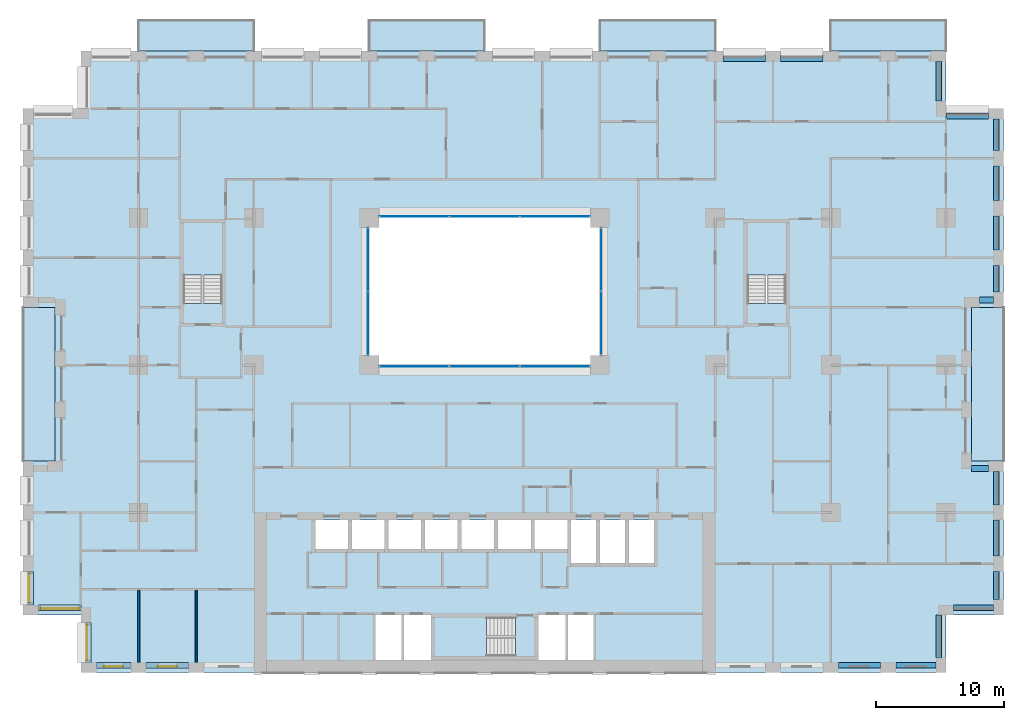
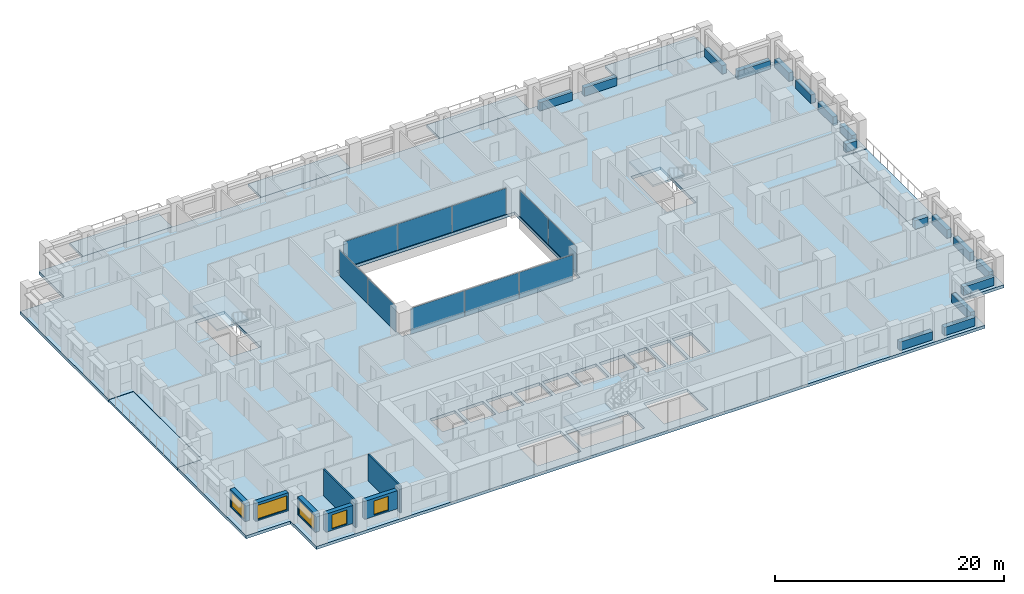
# One storey, part 8 of 20: 17 beams, 10 plates, 10 slabs, 7 walls, 5 windows, 5 openings, 7 elements without a shape of their own.
"""IFC4 building model written with IfcOpenShell, lengths in metres."""

from ifc_helpers import new_model, si_unit, direction, frame, frame_2d, origin, origin_2d, place, context, subcontext, project, spatial, polyline, rectangle, outline, extrude, material, layer, layer_set, material_profile, profile_set, type_object, element, fill, aggregate, save


model = new_model("IFC4")

# Units and contexts
model_context = context("Model", 3, precision=1e-05, world=origin(), true_north=direction((0.0, 1.0)))
body_context = subcontext(model_context, "Body", "Model", "MODEL_VIEW")
ifc_project = project(units=[si_unit("LENGTHUNIT", "METRE"), si_unit("AREAUNIT", "SQUARE_METRE"), si_unit("VOLUMEUNIT", "CUBIC_METRE"), si_unit("PLANEANGLEUNIT", "RADIAN"), si_unit("MASSUNIT", "GRAM", prefix="KILO")], contexts=[model_context])

# Site, building, storey
site_placement = place(None, origin())
site = spatial("IfcSite", under=ifc_project, at=site_placement, CompositionType="ELEMENT")
building_placement = place(site_placement, origin())
building = spatial("IfcBuilding", under=site, at=building_placement, Name="Brigalow Station Residences", CompositionType="ELEMENT")
storey_placement = place(building_placement, frame((0.0, 0.0, 57.300048828125)))
storey = spatial("IfcBuildingStorey", under=building, at=storey_placement, Name="L16", CompositionType="ELEMENT", Elevation=57.300048828125)

# Beams
ifc_material_1 = material(Name="Concrete C65", Category="concrete")
ifc_material_profile = material_profile(ifc_material_1, rectangle(XDim=0.449951171875, YDim=0.89990234375, at=origin_2d()), Name="RC450x900")
ifc_profile_set = profile_set([ifc_material_profile], Name="Concrete C65")
beam_type = type_object("IfcBeamType", Name="SPANDREL BEAM 450x900 C65", PredefinedType="SPANDREL", material=ifc_profile_set)
beam_1_placement = place(storey_placement, frame((63.60009765625, 0.574951171875, 0.449951171875), z_axis=(1.0, 0.0, 0.0), x_axis=(0.0, 1.0, 0.0)))
element("IfcBeam", 1, at=beam_1_placement, inside=storey, type_object=beam_type, Name="L16/spandrel/W-L16-7", PredefinedType="SPANDREL", context=body_context, shape_type="SweptSolid", body=[
    extrude(rectangle(XDim=0.449951171875, YDim=0.89990234375, at=origin_2d()), origin(), (0.0, 0.0, 1.0), 3.2998046875),
])
beam_2_placement = place(storey_placement, frame((68.10009765625, 0.574951171875, 0.449951171875), z_axis=(1.0, 0.0, 0.0), x_axis=(0.0, 1.0, 0.0)))
element("IfcBeam", 2, at=beam_2_placement, inside=storey, type_object=beam_type, Name="L16/spandrel/W-L16-8", PredefinedType="SPANDREL", context=body_context, shape_type="SweptSolid", body=[
    extrude(rectangle(XDim=0.449951171875, YDim=0.89990234375, at=origin_2d()), origin(), (0.0, 0.0, 1.0), 3.099853515625),
])
beam_3_placement = place(storey_placement, frame((71.425048828125, 1.199951171875, 0.449951171875), z_axis=(0.0, 1.0, 0.0), x_axis=(-1.0, 0.0, 0.0)))
element("IfcBeam", 3, at=beam_3_placement, inside=storey, type_object=beam_type, Name="L16/spandrel/W-L16-9", PredefinedType="SPANDREL", context=body_context, shape_type="SweptSolid", body=[
    extrude(rectangle(XDim=0.449951171875, YDim=0.89990234375, at=origin_2d()), origin(), (0.0, 0.0, 1.0), 3.300048828125),
])
beam_4_placement = place(storey_placement, frame((72.60009765625, 5.074951171875, 0.449951171875), z_axis=(1.0, 0.0, 0.0), x_axis=(0.0, 1.0, 0.0)))
element("IfcBeam", 4, at=beam_4_placement, inside=storey, type_object=beam_type, Name="L16/spandrel/W-L16-10", PredefinedType="SPANDREL", context=body_context, shape_type="SweptSolid", body=[
    extrude(rectangle(XDim=0.449951171875, YDim=0.89990234375, at=origin_2d()), origin(), (0.0, 0.0, 1.0), 3.099853515625),
])
beam_5_placement = place(storey_placement, frame((75.925048828125, 5.699951171875, 0.449951171875), z_axis=(0.0, 1.0, 0.0), x_axis=(-1.0, 0.0, 0.0)))
element("IfcBeam", 5, at=beam_5_placement, inside=storey, type_object=beam_type, Name="L16/spandrel/W-L16-11", PredefinedType="SPANDREL", context=body_context, shape_type="SweptSolid", body=[
    extrude(rectangle(XDim=0.449951171875, YDim=0.89990234375, at=origin_2d()), origin(), (0.0, 0.0, 1.0), 2.199951171875),
])
beam_6_placement = place(storey_placement, frame((75.925048828125, 9.10009765625, 0.449951171875), z_axis=(0.0, 1.0, 0.0), x_axis=(-1.0, 0.0, 0.0)))
element("IfcBeam", 6, at=beam_6_placement, inside=storey, type_object=beam_type, Name="L16/spandrel/W-L16-12", PredefinedType="SPANDREL", context=body_context, shape_type="SweptSolid", body=[
    extrude(rectangle(XDim=0.449951171875, YDim=0.89990234375, at=origin_2d()), origin(), (0.0, 0.0, 1.0), 2.7998046875),
])
beam_7_placement = place(storey_placement, frame((75.925048828125, 13.10009765625, 0.449951171875), z_axis=(0.0, 1.0, 0.0), x_axis=(-1.0, 0.0, 0.0)))
element("IfcBeam", 7, at=beam_7_placement, inside=storey, type_object=beam_type, Name="L16/spandrel/W-L16-13", PredefinedType="SPANDREL", context=body_context, shape_type="SweptSolid", body=[
    extrude(rectangle(XDim=0.449951171875, YDim=0.89990234375, at=origin_2d()), origin(), (0.0, 0.0, 1.0), 2.599853515625),
])
beam_8_placement = place(storey_placement, frame((75.300048828125, 15.925048828125, 0.449951171875), z_axis=(-1.0, 0.0, 0.0), x_axis=(0.0, -1.0, 0.0)))
element("IfcBeam", 8, at=beam_8_placement, inside=storey, type_object=beam_type, Name="L16/spandrel/W-L16-14", PredefinedType="SPANDREL", context=body_context, shape_type="SweptSolid", body=[
    extrude(rectangle(XDim=0.449951171875, YDim=0.89990234375, at=origin_2d()), origin(), (0.0, 0.0, 1.0), 1.300048828125),
])
beam_9_placement = place(storey_placement, frame((74.60009765625, 29.074951171875, 0.449951171875), z_axis=(1.0, 0.0, 0.0), x_axis=(0.0, 1.0, 0.0)))
element("IfcBeam", 9, at=beam_9_placement, inside=storey, type_object=beam_type, Name="L16/spandrel/W-L16-18", PredefinedType="SPANDREL", context=body_context, shape_type="SweptSolid", body=[
    extrude(rectangle(XDim=0.449951171875, YDim=0.89990234375, at=origin_2d()), origin(), (0.0, 0.0, 1.0), 1.099853515625),
])
beam_10_placement = place(storey_placement, frame((75.925048828125, 29.699951171875, 0.449951171875), z_axis=(0.0, 1.0, 0.0), x_axis=(-1.0, 0.0, 0.0)))
element("IfcBeam", 10, at=beam_10_placement, inside=storey, type_object=beam_type, Name="L16/spandrel/W-L16-19", PredefinedType="SPANDREL", context=body_context, shape_type="SweptSolid", body=[
    extrude(rectangle(XDim=0.449951171875, YDim=0.89990234375, at=origin_2d()), origin(), (0.0, 0.0, 1.0), 2.074951171875),
])
for number, where, z_axis, x_axis, name in (
    (11, (75.925048828125, 32.97509765625, 0.449951171875), (0.0, 1.0, 0.0), (-1.0, 0.0, 0.0), "L16/spandrel/W-L16-20"),
    (12, (75.925048828125, 36.85009765625, 0.449951171875), (0.0, 1.0, 0.0), (-1.0, 0.0, 0.0), "L16/spandrel/W-L16-21"),
):
    element("IfcBeam", number, at=place(storey_placement, frame(where, z_axis=z_axis, x_axis=x_axis)), inside=storey, type_object=beam_type, Name=name, PredefinedType="SPANDREL", context=body_context, shape_type="SweptSolid", body=[
        extrude(rectangle(XDim=0.449951171875, YDim=0.89990234375, at=origin_2d()), origin(), (0.0, 0.0, 1.0), 2.6748046875),
    ])
beam_11_placement = place(storey_placement, frame((75.925048828125, 40.72509765625, 0.449951171875), z_axis=(0.0, 1.0, 0.0), x_axis=(-1.0, 0.0, 0.0)))
element("IfcBeam", 13, at=beam_11_placement, inside=storey, type_object=beam_type, Name="L16/spandrel/W-L16-22", PredefinedType="SPANDREL", context=body_context, shape_type="SweptSolid", body=[
    extrude(rectangle(XDim=0.449951171875, YDim=0.89990234375, at=origin_2d()), origin(), (0.0, 0.0, 1.0), 2.474853515625),
])
beam_12_placement = place(storey_placement, frame((75.300048828125, 43.425048828125, 0.449951171875), z_axis=(-1.0, 0.0, 0.0), x_axis=(0.0, -1.0, 0.0)))
element("IfcBeam", 14, at=beam_12_placement, inside=storey, type_object=beam_type, Name="L16/spandrel/W-L16-23", PredefinedType="SPANDREL", context=body_context, shape_type="SweptSolid", body=[
    extrude(rectangle(XDim=0.449951171875, YDim=0.89990234375, at=origin_2d()), origin(), (0.0, 0.0, 1.0), 3.300048828125),
])
beam_13_placement = place(storey_placement, frame((71.425048828125, 44.60009765625, 0.449951171875), z_axis=(0.0, 1.0, 0.0), x_axis=(-1.0, 0.0, 0.0)))
element("IfcBeam", 15, at=beam_13_placement, inside=storey, type_object=beam_type, Name="L16/spandrel/W-L16-24", PredefinedType="SPANDREL", context=body_context, shape_type="SweptSolid", body=[
    extrude(rectangle(XDim=0.449951171875, YDim=0.89990234375, at=origin_2d()), origin(), (0.0, 0.0, 1.0), 3.099853515625),
])
for number, where, z_axis, x_axis, name in (
    (16, (62.39990234375, 47.925048828125, 0.449951171875), (-1.0, 0.0, 0.0), (0.0, -1.0, 0.0), "L16/spandrel/W-L16-27"),
    (17, (57.89990234375, 47.925048828125, 0.449951171875), (-1.0, 0.0, 0.0), (0.0, -1.0, 0.0), "L16/spandrel/W-L16-28"),
):
    element("IfcBeam", number, at=place(storey_placement, frame(where, z_axis=z_axis, x_axis=x_axis)), inside=storey, type_object=beam_type, Name=name, PredefinedType="SPANDREL", context=body_context, shape_type="SweptSolid", body=[
        extrude(rectangle(XDim=0.449951171875, YDim=0.89990234375, at=origin_2d()), origin(), (0.0, 0.0, 1.0), 3.2998046875),
    ])

# Curtain wall, plates
ifc_material_2 = material(Name="Aluminium", Category="aluminium")
ifc_layer_1 = layer(ifc_material_2, 0.14990234375)
ifc_layer_set_1 = layer_set([ifc_layer_1], Name="ATRIUM FIRE-RATED GLAZING CURTAIN WALL")
curtain_wall_type = type_object("IfcCurtainWallType", Name="ATRIUM FIRE-RATED GLAZING CURTAIN WALL", PredefinedType="NOTDEFINED", material=ifc_layer_set_1)
curtain_wall_1_placement = place(storey_placement, origin())
curtain_wall_1 = element("IfcCurtainWall", 18, at=curtain_wall_1_placement, inside=storey, type_object=curtain_wall_type, Name="L16/cw/atrium-S", PredefinedType="NOTDEFINED")
ifc_material_3 = material(Name="Fire-resisting laminated glazing, FRL -/60/-", Category="glass")
ifc_layer_2 = layer(ifc_material_3, 0.031982421875)
ifc_layer_set_2 = layer_set([ifc_layer_2], Name="ATRIUM FIRE-RATED GLAZING PANEL 32")
plate_type = type_object("IfcPlateType", Name="ATRIUM FIRE-RATED GLAZING PANEL 32", PredefinedType="CURTAIN_PANEL", material=ifc_layer_set_2)
plate_1_placement = place(storey_placement, frame((30.514892578125, 23.89990234375, 0.0), z_axis=(0.0, 0.0, 1.0), x_axis=(1.0, 0.0, 0.0)))
plate_1 = element("IfcPlate", 19, at=plate_1_placement, type_object=plate_type, Name="L16/cw/atrium-S/P00-00", PredefinedType="CURTAIN_PANEL", context=body_context, shape_type="SweptSolid", body=[
    extrude(rectangle(XDim=5.409912109375, YDim=0.031982421875, at=origin_2d()), origin(), (0.0, 0.0, 1.0), 2.77001953125),
])
plate_2_placement = place(storey_placement, frame((36.0, 23.89990234375, 0.0), z_axis=(0.0, 0.0, 1.0), x_axis=(1.0, 0.0, 0.0)))
plate_2 = element("IfcPlate", 20, at=plate_2_placement, type_object=plate_type, Name="L16/cw/atrium-S/P01-00", PredefinedType="CURTAIN_PANEL", context=body_context, shape_type="SweptSolid", body=[
    extrude(rectangle(XDim=5.43994140625, YDim=0.031982421875, at=origin_2d()), origin(), (0.0, 0.0, 1.0), 2.77001953125),
])
plate_3_placement = place(storey_placement, frame((41.485107421875, 23.89990234375, 0.0), z_axis=(0.0, 0.0, 1.0), x_axis=(1.0, 0.0, 0.0)))
plate_3 = element("IfcPlate", 21, at=plate_3_placement, type_object=plate_type, Name="L16/cw/atrium-S/P02-00", PredefinedType="CURTAIN_PANEL", context=body_context, shape_type="SweptSolid", body=[
    extrude(rectangle(XDim=5.409912109375, YDim=0.031982421875, at=origin_2d()), origin(), (0.0, 0.0, 1.0), 2.77001953125),
])
aggregate(curtain_wall_1, [plate_1, plate_2, plate_3])

curtain_wall_2_placement = place(storey_placement, origin())
curtain_wall_2 = element("IfcCurtainWall", 22, at=curtain_wall_2_placement, inside=storey, type_object=curtain_wall_type, Name="L16/cw/atrium-E", PredefinedType="NOTDEFINED")
plate_4_placement = place(storey_placement, frame((45.10009765625, 27.264892578125, 0.0), z_axis=(0.0, 0.0, 1.0), x_axis=(0.0, 1.0, 0.0)))
plate_4 = element("IfcPlate", 23, at=plate_4_placement, type_object=plate_type, Name="L16/cw/atrium-E/P00-00", PredefinedType="CURTAIN_PANEL", context=body_context, shape_type="SweptSolid", body=[
    extrude(rectangle(XDim=4.909912109375, YDim=0.031982421875, at=origin_2d()), origin(), (0.0, 0.0, 1.0), 2.77001953125),
])
plate_5_placement = place(storey_placement, frame((45.10009765625, 32.235107421875, 0.0), z_axis=(0.0, 0.0, 1.0), x_axis=(0.0, 1.0, 0.0)))
plate_5 = element("IfcPlate", 24, at=plate_5_placement, type_object=plate_type, Name="L16/cw/atrium-E/P01-00", PredefinedType="CURTAIN_PANEL", context=body_context, shape_type="SweptSolid", body=[
    extrude(rectangle(XDim=4.909912109375, YDim=0.031982421875, at=origin_2d()), origin(), (0.0, 0.0, 1.0), 2.77001953125),
])
aggregate(curtain_wall_2, [plate_4, plate_5])

curtain_wall_3_placement = place(storey_placement, origin())
curtain_wall_3 = element("IfcCurtainWall", 25, at=curtain_wall_3_placement, inside=storey, type_object=curtain_wall_type, Name="L16/cw/atrium-N", PredefinedType="NOTDEFINED")
plate_6_placement = place(storey_placement, frame((41.485107421875, 35.60009765625, 0.0), z_axis=(0.0, 0.0, 1.0), x_axis=(-1.0, 0.0, 0.0)))
plate_6 = element("IfcPlate", 26, at=plate_6_placement, type_object=plate_type, Name="L16/cw/atrium-N/P00-00", PredefinedType="CURTAIN_PANEL", context=body_context, shape_type="SweptSolid", body=[
    extrude(rectangle(XDim=5.409912109375, YDim=0.031982421875, at=origin_2d()), origin(), (0.0, 0.0, 1.0), 2.77001953125),
])
plate_7_placement = place(storey_placement, frame((36.0, 35.60009765625, 0.0), z_axis=(0.0, 0.0, 1.0), x_axis=(-1.0, 0.0, 0.0)))
plate_7 = element("IfcPlate", 27, at=plate_7_placement, type_object=plate_type, Name="L16/cw/atrium-N/P01-00", PredefinedType="CURTAIN_PANEL", context=body_context, shape_type="SweptSolid", body=[
    extrude(rectangle(XDim=5.43994140625, YDim=0.031982421875, at=origin_2d()), origin(), (0.0, 0.0, 1.0), 2.77001953125),
])
plate_8_placement = place(storey_placement, frame((30.514892578125, 35.60009765625, 0.0), z_axis=(0.0, 0.0, 1.0), x_axis=(-1.0, 0.0, 0.0)))
plate_8 = element("IfcPlate", 28, at=plate_8_placement, type_object=plate_type, Name="L16/cw/atrium-N/P02-00", PredefinedType="CURTAIN_PANEL", context=body_context, shape_type="SweptSolid", body=[
    extrude(rectangle(XDim=5.409912109375, YDim=0.031982421875, at=origin_2d()), origin(), (0.0, 0.0, 1.0), 2.77001953125),
])
aggregate(curtain_wall_3, [plate_6, plate_7, plate_8])

curtain_wall_4_placement = place(storey_placement, origin())
curtain_wall_4 = element("IfcCurtainWall", 29, at=curtain_wall_4_placement, inside=storey, type_object=curtain_wall_type, Name="L16/cw/atrium-W", PredefinedType="NOTDEFINED")
plate_9_placement = place(storey_placement, frame((26.89990234375, 32.235107421875, 0.0), z_axis=(0.0, 0.0, 1.0), x_axis=(0.0, -1.0, 0.0)))
plate_9 = element("IfcPlate", 30, at=plate_9_placement, type_object=plate_type, Name="L16/cw/atrium-W/P00-00", PredefinedType="CURTAIN_PANEL", context=body_context, shape_type="SweptSolid", body=[
    extrude(rectangle(XDim=4.909912109375, YDim=0.031982421875, at=origin_2d()), origin(), (0.0, 0.0, 1.0), 2.77001953125),
])
plate_10_placement = place(storey_placement, frame((26.89990234375, 27.264892578125, 0.0), z_axis=(0.0, 0.0, 1.0), x_axis=(0.0, -1.0, 0.0)))
plate_10 = element("IfcPlate", 31, at=plate_10_placement, type_object=plate_type, Name="L16/cw/atrium-W/P01-00", PredefinedType="CURTAIN_PANEL", context=body_context, shape_type="SweptSolid", body=[
    extrude(rectangle(XDim=4.909912109375, YDim=0.031982421875, at=origin_2d()), origin(), (0.0, 0.0, 1.0), 2.77001953125),
])
aggregate(curtain_wall_4, [plate_9, plate_10])

# Slabs
ifc_material_4 = material(Name="Concrete C50 precast", Category="concrete")
ifc_layer_3 = layer(ifc_material_4, 0.25)
ifc_layer_set_3 = layer_set([ifc_layer_3], Name="BALCONY SLAB 250")
slab_type_1 = type_object("IfcSlabType", Name="BALCONY SLAB 250", PredefinedType="USERDEFINED", material=ifc_layer_set_3)
slab_1_placement = place(storey_placement, frame((0.0, 0.0, -0.2900390625)))
element("IfcSlab", 32, at=slab_1_placement, inside=storey, type_object=slab_type_1, Name="L16/balcony/1", ObjectType="BALCONY", PredefinedType="USERDEFINED", context=body_context, shape_type="SweptSolid", body=[
    extrude(outline(polyline([(74.0, 16.5), (76.5, 16.5), (76.5, 28.5), (74.0, 28.5), (74.0, 16.5)])), origin(), (0.0, 0.0, 1.0), 0.25),
])
slab_2_placement = place(storey_placement, frame((0.0, 0.0, -0.2900390625)))
element("IfcSlab", 33, at=slab_2_placement, inside=storey, type_object=slab_type_1, Name="L16/balcony/2", ObjectType="BALCONY", PredefinedType="USERDEFINED", context=body_context, shape_type="SweptSolid", body=[
    extrude(outline(polyline([(72.0, 48.5), (72.0, 50.89990234375), (63.0, 50.89990234375), (63.0, 48.5), (72.0, 48.5)])), origin(), (0.0, 0.0, 1.0), 0.25),
])
slab_3_placement = place(storey_placement, frame((0.0, 0.0, -0.2900390625)))
element("IfcSlab", 34, at=slab_3_placement, inside=storey, type_object=slab_type_1, Name="L16/balcony/3", ObjectType="BALCONY", PredefinedType="USERDEFINED", context=body_context, shape_type="SweptSolid", body=[
    extrude(outline(polyline([(54.0, 48.5), (54.0, 50.89990234375), (45.0, 50.89990234375), (45.0, 48.5), (54.0, 48.5)])), origin(), (0.0, 0.0, 1.0), 0.25),
])
slab_4_placement = place(storey_placement, frame((0.0, 0.0, -0.2900390625)))
element("IfcSlab", 35, at=slab_4_placement, inside=storey, type_object=slab_type_1, Name="L16/balcony/4", ObjectType="BALCONY", PredefinedType="USERDEFINED", context=body_context, shape_type="SweptSolid", body=[
    extrude(outline(polyline([(36.0, 48.5), (36.0, 50.89990234375), (27.0, 50.89990234375), (27.0, 48.5), (36.0, 48.5)])), origin(), (0.0, 0.0, 1.0), 0.25),
])
slab_5_placement = place(storey_placement, frame((0.0, 0.0, -0.2900390625)))
element("IfcSlab", 36, at=slab_5_placement, inside=storey, type_object=slab_type_1, Name="L16/balcony/5", ObjectType="BALCONY", PredefinedType="USERDEFINED", context=body_context, shape_type="SweptSolid", body=[
    extrude(outline(polyline([(18.0, 48.5), (18.0, 50.89990234375), (9.0, 50.89990234375), (9.0, 48.5), (18.0, 48.5)])), origin(), (0.0, 0.0, 1.0), 0.25),
])
slab_6_placement = place(storey_placement, frame((0.0, 0.0, -0.2900390625)))
element("IfcSlab", 37, at=slab_6_placement, inside=storey, type_object=slab_type_1, Name="L16/balcony/6", ObjectType="BALCONY", PredefinedType="USERDEFINED", context=body_context, shape_type="SweptSolid", body=[
    extrude(outline(polyline([(2.5, 28.5), (0.0, 28.5), (0.0, 16.5), (2.5, 16.5), (2.5, 28.5)])), origin(), (0.0, 0.0, 1.0), 0.25),
])
ifc_material_5 = material(Name="Concrete C50", Category="concrete")
ifc_layer_4 = layer(ifc_material_5, 0.320068359375)
ifc_layer_set_4 = layer_set([ifc_layer_4], Name="POST-TENSIONED FLAT PLATE 320 C50")
slab_type_2 = type_object("IfcSlabType", Name="POST-TENSIONED FLAT PLATE 320 C50", PredefinedType="FLOOR", material=ifc_layer_set_4)
slab_7_placement = place(storey_placement, frame((0.0, 0.0, -0.320068359375)))
element("IfcSlab", 38, at=slab_7_placement, inside=storey, type_object=slab_type_2, Name="FLOOR SLAB L16", PredefinedType="FLOOR", context=body_context, shape_type="SweptSolid", body=[
    extrude(outline(polyline([(4.5, 0.0), (72.0, 0.0), (72.0, 4.5), (76.5, 4.5), (76.5, 16.5), (74.0, 16.5), (74.0, 28.5), (76.5, 28.5), (76.5, 44.0), (72.0, 44.0), (72.0, 48.5), (4.5, 48.5), (4.5, 44.0), (0.0, 44.0), (0.0, 28.5), (2.5, 28.5), (2.5, 16.5), (0.0, 16.5), (0.0, 4.5), (4.5, 4.5), (4.5, 0.0)]), holes=[polyline([(15.4951171875, 35.094970703125), (15.4951171875, 28.804931640625), (12.5048828125, 28.804931640625), (12.5048828125, 35.094970703125), (15.4951171875, 35.094970703125)]), polyline([(22.800048828125, 11.89990234375), (25.35009765625, 11.89990234375), (25.35009765625, 9.64990234375), (22.800048828125, 9.64990234375), (22.800048828125, 11.89990234375)]), polyline([(25.64990234375, 11.89990234375), (28.199951171875, 11.89990234375), (28.199951171875, 9.64990234375), (25.64990234375, 9.64990234375), (25.64990234375, 11.89990234375)]), polyline([(28.5, 11.89990234375), (31.050048828125, 11.89990234375), (31.050048828125, 9.64990234375), (28.5, 9.64990234375), (28.5, 11.89990234375)]), polyline([(29.60009765625, 1.0), (27.39990234375, 1.0), (27.39990234375, 4.60009765625), (29.60009765625, 4.60009765625), (31.800048828125, 4.60009765625), (31.800048828125, 1.0), (29.60009765625, 1.0)]), polyline([(31.35009765625, 11.89990234375), (33.89990234375, 11.89990234375), (33.89990234375, 9.64990234375), (31.35009765625, 9.64990234375), (31.35009765625, 11.89990234375)]), polyline([(32.10498046875, 4.294921875), (38.39501953125, 4.294921875), (38.39501953125, 1.304931640625), (32.10498046875, 1.304931640625), (32.10498046875, 4.294921875)]), polyline([(36.75, 11.89990234375), (36.75, 9.64990234375), (34.199951171875, 9.64990234375), (34.199951171875, 11.89990234375), (36.75, 11.89990234375)]), polyline([(37.050048828125, 11.89990234375), (39.60009765625, 11.89990234375), (39.60009765625, 9.64990234375), (37.050048828125, 9.64990234375), (37.050048828125, 11.89990234375)]), polyline([(39.89990234375, 11.89990234375), (42.449951171875, 11.89990234375), (42.449951171875, 9.64990234375), (39.89990234375, 9.64990234375), (39.89990234375, 11.89990234375)]), polyline([(42.39990234375, 1.0), (40.199951171875, 1.0), (40.199951171875, 4.60009765625), (42.39990234375, 4.60009765625), (44.60009765625, 4.60009765625), (44.60009765625, 1.0), (42.39990234375, 1.0)]), polyline([(42.75, 11.89990234375), (44.699951171875, 11.89990234375), (44.699951171875, 8.550048828125), (42.75, 8.550048828125), (42.75, 11.89990234375)]), polyline([(45.0, 11.89990234375), (46.949951171875, 11.89990234375), (46.949951171875, 8.550048828125), (45.0, 8.550048828125), (45.0, 11.89990234375)]), polyline([(45.0, 35.5), (45.0, 24.0), (27.0, 24.0), (27.0, 35.5), (45.0, 35.5)]), polyline([(47.25, 11.89990234375), (49.199951171875, 11.89990234375), (49.199951171875, 8.550048828125), (47.25, 8.550048828125), (47.25, 11.89990234375)]), polyline([(59.4951171875, 35.094970703125), (59.4951171875, 28.804931640625), (56.5048828125, 28.804931640625), (56.5048828125, 35.094970703125), (59.4951171875, 35.094970703125)])]), origin(), (0.0, 0.0, 1.0), 0.320068359375),
])

# Stair, slab
ifc_material_6 = material(Name="Concrete C50", Category="concrete")
stair_type = type_object("IfcStairType", Name="EXIT STAIR 1400 2 FLIGHT", PredefinedType="HALF_TURN_STAIR", material=ifc_material_6)
stair_1_placement = place(storey_placement, origin())
stair_1 = element("IfcStair", 39, at=stair_1_placement, inside=storey, type_object=stair_type, Name="EXIT STAIR S2 L16", PredefinedType="HALF_TURN_STAIR")
ifc_material_7 = material(Name="Concrete C50", Category="concrete")
ifc_layer_5 = layer(ifc_material_7, 0.199951171875)
ifc_layer_set_5 = layer_set([ifc_layer_5], Name="STAIR LANDING 200")
slab_type_3 = type_object("IfcSlabType", Name="STAIR LANDING 200", PredefinedType="LANDING", material=ifc_layer_set_5)
slab_8_placement = place(storey_placement, frame((0.0, 0.0, 1.375)))
slab_8 = element("IfcSlab", 40, at=slab_8_placement, type_object=slab_type_3, Name="ST-2 landing 1", PredefinedType="LANDING", context=body_context, shape_type="SweptSolid", body=[
    extrude(outline(polyline([(32.0, 1.199951171875), (36.159912109375, 1.199951171875), (36.159912109375, 4.39990234375), (32.0, 4.39990234375), (32.0, 1.199951171875)])), origin(), (0.0, 0.0, 1.0), 0.199951171875),
])
aggregate(stair_1, [slab_8])

stair_2_placement = place(storey_placement, origin())
stair_2 = element("IfcStair", 41, at=stair_2_placement, inside=storey, type_object=stair_type, Name="EXIT STAIR S1 L16", PredefinedType="HALF_TURN_STAIR")
slab_9_placement = place(storey_placement, frame((0.0, 0.0, 1.375)))
slab_9 = element("IfcSlab", 42, at=slab_9_placement, type_object=slab_type_3, Name="ST-1 landing 1", PredefinedType="LANDING", context=body_context, shape_type="SweptSolid", body=[
    extrude(outline(polyline([(12.39990234375, 31.0400390625), (15.60009765625, 31.0400390625), (15.60009765625, 35.199951171875), (12.39990234375, 35.199951171875), (12.39990234375, 31.0400390625)])), origin(), (0.0, 0.0, 1.0), 0.199951171875),
])
aggregate(stair_2, [slab_9])

stair_3_placement = place(storey_placement, origin())
stair_3 = element("IfcStair", 43, at=stair_3_placement, inside=storey, type_object=stair_type, Name="EXIT STAIR S3 L16", PredefinedType="HALF_TURN_STAIR")
slab_10_placement = place(storey_placement, frame((0.0, 0.0, 1.375)))
slab_10 = element("IfcSlab", 44, at=slab_10_placement, type_object=slab_type_3, Name="ST-3 landing 1", PredefinedType="LANDING", context=body_context, shape_type="SweptSolid", body=[
    extrude(outline(polyline([(56.39990234375, 31.0400390625), (59.60009765625, 31.0400390625), (59.60009765625, 35.199951171875), (56.39990234375, 35.199951171875), (56.39990234375, 31.0400390625)])), origin(), (0.0, 0.0, 1.0), 0.199951171875),
])
aggregate(stair_3, [slab_10])

# Wall, opening, window
ifc_material_8 = material(Name="Clay brick masonry", Category="masonry")
ifc_layer_6 = layer(ifc_material_8, 0.449951171875)
ifc_layer_set_6 = layer_set([ifc_layer_6], Name="BRICK INFILL WALL 450")
wall_type_1 = type_object("IfcWallType", Name="BRICK INFILL WALL 450", PredefinedType="SOLIDWALL", material=ifc_layer_set_6)
wall_1_placement = place(storey_placement, frame((5.699951171875, 0.574951171875, 0.89990234375), z_axis=(0.0, 0.0, 1.0), x_axis=(1.0, 0.0, 0.0)))
wall_1 = element("IfcWall", 45, at=wall_1_placement, inside=storey, type_object=wall_type_1, Name="L16/ewall/W-L16-1", PredefinedType="SOLIDWALL", context=body_context, shape_type="SweptSolid", body=[
    extrude(rectangle(XDim=2.699951171875, YDim=0.449951171875, at=frame_2d((1.35009765625, 0.0))), origin(), (0.0, 0.0, 1.0), 1.929931640625),
])
opening_1_placement = place(wall_1_placement, frame((0.60009765625, 0.0, 0.14990234375)))
opening_1 = element("IfcOpeningElement", 46, at=opening_1_placement, cuts=wall_1, Name="Opening WT-1", PredefinedType="OPENING", context=body_context, shape_type="SweptSolid", body=[
    extrude(rectangle(XDim=1.5, YDim=1.5, at=frame_2d((0.75, 0.75))), frame((0.0, 0.23486328125, 0.0), z_axis=(0.0, -1.0, 0.0), x_axis=(1.0, 0.0, 0.0)), (0.0, 0.0, 1.0), 0.469970703125),
])
ifc_material_9 = material(Name="Anodised aluminium frame with double glazing", Category="aluminium")
window_type_1 = type_object("IfcWindowType", Name="WINDOW 1500x1500", PartitioningType="SINGLE_PANEL", PredefinedType="WINDOW", material=ifc_material_9)
window_1_placement = place(opening_1_placement, origin())
window_1 = element("IfcWindow", 47, at=window_1_placement, inside=storey, type_object=window_type_1, Name="L16/window/W-L16-1", OverallHeight=1.5, OverallWidth=1.5, PartitioningType="SINGLE_PANEL", PredefinedType="WINDOW", context=body_context, shape_type="SweptSolid", body=[
    extrude(rectangle(XDim=1.5, YDim=1.5, at=frame_2d((0.75, 0.75))), frame((0.0, -0.06494140625, 0.0), z_axis=(0.0, -1.0, 0.0), x_axis=(1.0, 0.0, 0.0)), (0.0, 0.0, 1.0), 0.06005859375),
])
fill(opening_1, window_1)

wall_2_placement = place(storey_placement, frame((9.60009765625, 0.574951171875, 0.89990234375), z_axis=(0.0, 0.0, 1.0), x_axis=(1.0, 0.0, 0.0)))
wall_2 = element("IfcWall", 48, at=wall_2_placement, inside=storey, type_object=wall_type_1, Name="L16/ewall/W-L16-2", PredefinedType="SOLIDWALL", context=body_context, shape_type="SweptSolid", body=[
    extrude(rectangle(XDim=3.2998046875, YDim=0.449951171875, at=frame_2d((1.64990234375, 0.0))), origin(), (0.0, 0.0, 1.0), 1.929931640625),
])
opening_2_placement = place(wall_2_placement, frame((0.89990234375, 0.0, 0.14990234375)))
opening_2 = element("IfcOpeningElement", 49, at=opening_2_placement, cuts=wall_2, Name="Opening WT-1", PredefinedType="OPENING", context=body_context, shape_type="SweptSolid", body=[
    extrude(rectangle(XDim=1.5, YDim=1.5, at=frame_2d((0.75, 0.75))), frame((0.0, 0.23486328125, 0.0), z_axis=(0.0, -1.0, 0.0), x_axis=(1.0, 0.0, 0.0)), (0.0, 0.0, 1.0), 0.469970703125),
])
window_2_placement = place(opening_2_placement, origin())
window_2 = element("IfcWindow", 50, at=window_2_placement, inside=storey, type_object=window_type_1, Name="L16/window/W-L16-2", OverallHeight=1.5, OverallWidth=1.5, PartitioningType="SINGLE_PANEL", PredefinedType="WINDOW", context=body_context, shape_type="SweptSolid", body=[
    extrude(rectangle(XDim=1.5, YDim=1.5, at=frame_2d((0.75, 0.75))), frame((0.0, -0.06494140625, 0.0), z_axis=(0.0, -1.0, 0.0), x_axis=(1.0, 0.0, 0.0)), (0.0, 0.0, 1.0), 0.06005859375),
])
fill(opening_2, window_2)

wall_3_placement = place(storey_placement, frame((0.574951171875, 7.89990234375, 0.89990234375), z_axis=(0.0, 0.0, 1.0), x_axis=(0.0, -1.0, 0.0)))
wall_3 = element("IfcWall", 51, at=wall_3_placement, inside=storey, type_object=wall_type_1, Name="L16/ewall/W-L16-53", PredefinedType="SOLIDWALL", context=body_context, shape_type="SweptSolid", body=[
    extrude(rectangle(XDim=2.599853515625, YDim=0.449951171875, at=frame_2d((1.2998046875, 0.0))), origin(), (0.0, 0.0, 1.0), 1.929931640625),
])
opening_3_placement = place(wall_3_placement, frame((0.175048828125, 0.0, 0.14990234375)))
opening_3 = element("IfcOpeningElement", 52, at=opening_3_placement, cuts=wall_3, Name="Opening WT-6", PredefinedType="OPENING", context=body_context, shape_type="SweptSolid", body=[
    extrude(rectangle(XDim=2.25, YDim=1.5, at=frame_2d((1.125, 0.75))), frame((0.0, 0.23486328125, 0.0), z_axis=(0.0, -1.0, 0.0), x_axis=(1.0, 0.0, 0.0)), (0.0, 0.0, 1.0), 0.469970703125),
])
ifc_material_10 = material(Name="Anodised aluminium frame with double glazing", Category="aluminium")
window_type_2 = type_object("IfcWindowType", Name="WINDOW 2250x1500", PartitioningType="SINGLE_PANEL", PredefinedType="WINDOW", material=ifc_material_10)
window_3_placement = place(opening_3_placement, origin())
window_3 = element("IfcWindow", 53, at=window_3_placement, inside=storey, type_object=window_type_2, Name="L16/window/W-L16-53", OverallHeight=1.5, OverallWidth=2.25, PartitioningType="SINGLE_PANEL", PredefinedType="WINDOW", context=body_context, shape_type="SweptSolid", body=[
    extrude(rectangle(XDim=2.25, YDim=1.5, at=frame_2d((1.125, 0.75))), frame((0.0, -0.06494140625, 0.0), z_axis=(0.0, -1.0, 0.0), x_axis=(1.0, 0.0, 0.0)), (0.0, 0.0, 1.0), 0.06005859375),
])
fill(opening_3, window_3)

wall_4_placement = place(storey_placement, frame((1.199951171875, 5.074951171875, 0.89990234375), z_axis=(0.0, 0.0, 1.0), x_axis=(1.0, 0.0, 0.0)))
wall_4 = element("IfcWall", 54, at=wall_4_placement, inside=storey, type_object=wall_type_1, Name="L16/ewall/W-L16-54", PredefinedType="SOLIDWALL", context=body_context, shape_type="SweptSolid", body=[
    extrude(rectangle(XDim=3.300048828125, YDim=0.449951171875, at=frame_2d((1.64990234375, 0.0))), origin(), (0.0, 0.0, 1.0), 1.929931640625),
])
opening_4_placement = place(wall_4_placement, frame((0.14990234375, 0.0, 0.14990234375)))
opening_4 = element("IfcOpeningElement", 55, at=opening_4_placement, cuts=wall_4, Name="Opening WT-2", PredefinedType="OPENING", context=body_context, shape_type="SweptSolid", body=[
    extrude(rectangle(XDim=3.0, YDim=1.5, at=frame_2d((1.5, 0.75))), frame((0.0, 0.23486328125, 0.0), z_axis=(0.0, -1.0, 0.0), x_axis=(1.0, 0.0, 0.0)), (0.0, 0.0, 1.0), 0.469970703125),
])
ifc_material_11 = material(Name="Anodised aluminium frame with double glazing", Category="aluminium")
window_type_3 = type_object("IfcWindowType", Name="WINDOW 3000x1500", PartitioningType="SINGLE_PANEL", PredefinedType="WINDOW", material=ifc_material_11)
window_4_placement = place(opening_4_placement, origin())
window_4 = element("IfcWindow", 56, at=window_4_placement, inside=storey, type_object=window_type_3, Name="L16/window/W-L16-54", OverallHeight=1.5, OverallWidth=3.0, PartitioningType="SINGLE_PANEL", PredefinedType="WINDOW", context=body_context, shape_type="SweptSolid", body=[
    extrude(rectangle(XDim=3.0, YDim=1.5, at=frame_2d((1.5, 0.75))), frame((0.0, -0.06494140625, 0.0), z_axis=(0.0, -1.0, 0.0), x_axis=(1.0, 0.0, 0.0)), (0.0, 0.0, 1.0), 0.06005859375),
])
fill(opening_4, window_4)

wall_5_placement = place(storey_placement, frame((5.074951171875, 3.89990234375, 0.89990234375), z_axis=(0.0, 0.0, 1.0), x_axis=(0.0, -1.0, 0.0)))
wall_5 = element("IfcWall", 57, at=wall_5_placement, inside=storey, type_object=wall_type_1, Name="L16/ewall/W-L16-55", PredefinedType="SOLIDWALL", context=body_context, shape_type="SweptSolid", body=[
    extrude(rectangle(XDim=3.099853515625, YDim=0.449951171875, at=frame_2d((1.5498046875, 0.0))), origin(), (0.0, 0.0, 1.0), 1.929931640625),
])
opening_5_placement = place(wall_5_placement, frame((0.175048828125, 0.0, 0.14990234375)))
opening_5 = element("IfcOpeningElement", 58, at=opening_5_placement, cuts=wall_5, Name="Opening WT-3", PredefinedType="OPENING", context=body_context, shape_type="SweptSolid", body=[
    extrude(rectangle(XDim=2.75, YDim=1.5, at=frame_2d((1.375, 0.75))), frame((0.0, 0.23486328125, 0.0), z_axis=(0.0, -1.0, 0.0), x_axis=(1.0, 0.0, 0.0)), (0.0, 0.0, 1.0), 0.469970703125),
])
ifc_material_12 = material(Name="Anodised aluminium frame with double glazing", Category="aluminium")
window_type_4 = type_object("IfcWindowType", Name="WINDOW 2750x1500", PartitioningType="SINGLE_PANEL", PredefinedType="WINDOW", material=ifc_material_12)
window_5_placement = place(opening_5_placement, origin())
window_5 = element("IfcWindow", 59, at=window_5_placement, inside=storey, type_object=window_type_4, Name="L16/window/W-L16-55", OverallHeight=1.5, OverallWidth=2.75, PartitioningType="SINGLE_PANEL", PredefinedType="WINDOW", context=body_context, shape_type="SweptSolid", body=[
    extrude(rectangle(XDim=2.75, YDim=1.5, at=frame_2d((1.375, 0.75))), frame((0.0, -0.06494140625, 0.0), z_axis=(0.0, -1.0, 0.0), x_axis=(1.0, 0.0, 0.0)), (0.0, 0.0, 1.0), 0.06005859375),
])
fill(opening_5, window_5)

# Walls
ifc_material_13 = material(Name="Plasterboard on steel stud partition", Category="steel")
ifc_layer_7 = layer(ifc_material_13, 0.14990234375)
ifc_layer_set_7 = layer_set([ifc_layer_7], Name="FLAT PARTITION 150")
wall_type_2 = type_object("IfcWallType", Name="FLAT PARTITION 150", PredefinedType="PARTITIONING", material=ifc_layer_set_7)
for number, where, z_axis, x_axis, name in (
    (60, (9.0, 0.800048828125, 0.0), (0.0, 0.0, 1.0), (0.0, 1.0, 0.0), "PW-1E48"),
    (61, (13.5, 0.800048828125, 0.0), (0.0, 0.0, 1.0), (0.0, 1.0, 0.0), "PW-1E56"),
):
    element("IfcWall", number, at=place(storey_placement, frame(where, z_axis=z_axis, x_axis=x_axis)), inside=storey, type_object=wall_type_2, Name=name, PredefinedType="PARTITIONING", context=body_context, shape_type="SweptSolid", body=[
        extrude(rectangle(XDim=5.625, YDim=0.14990234375, at=frame_2d((2.8125, 0.0))), origin(), (0.0, 0.0, 1.0), 2.829833984375),
    ])

save(model, "model.ifc")
